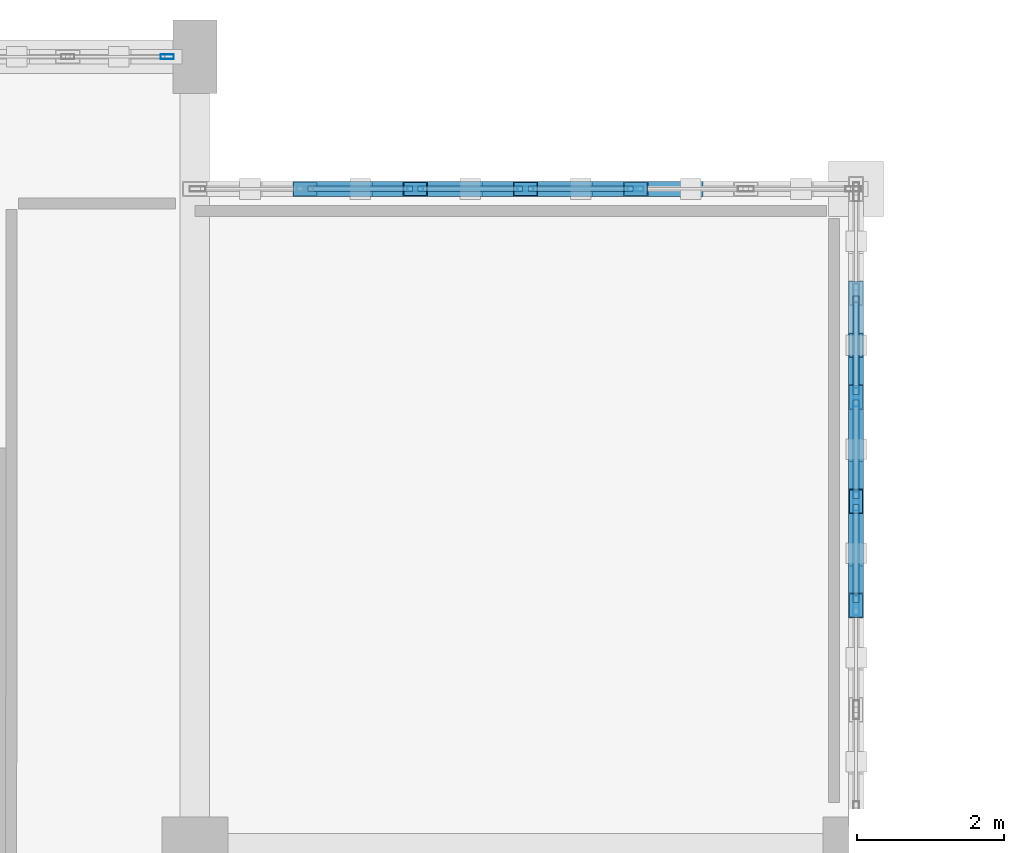
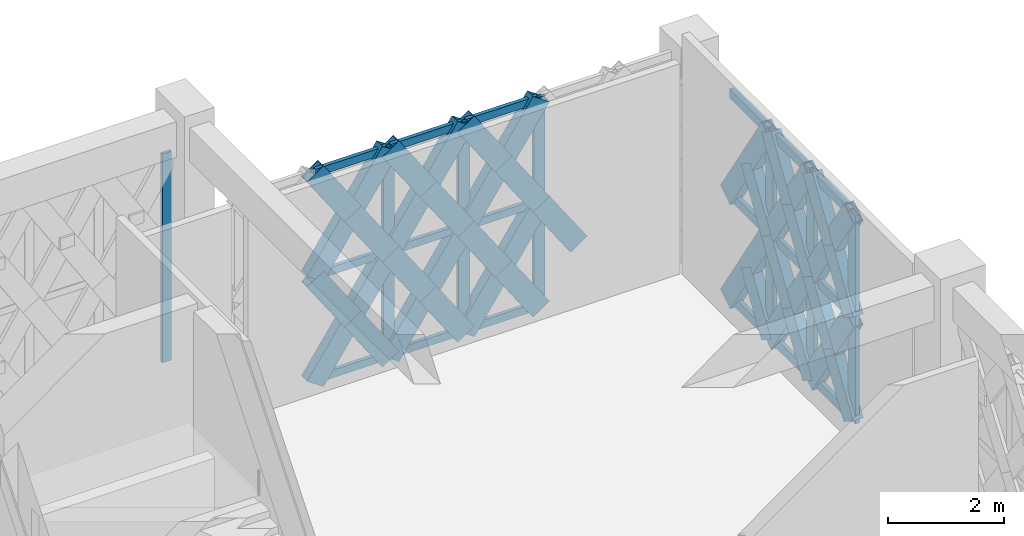
# One storey, part 95 of 166: 60 members, 3 elements without a shape of their own.
"""IFC4 building model written with IfcOpenShell, lengths in metres."""

from ifc_helpers import new_model, si_unit, direction, frame, origin, origin_2d, place, context, subcontext, project, spatial, hollow_rectangle, extrude, material, material_profile, profile_set, type_object, element, aggregate, save


model = new_model("IFC4")

# Units and contexts
model_context = context("Model", 3, precision=1e-05, world=origin(), true_north=direction((0.0, 1.0)))
body_context = subcontext(model_context, "Body", "Model", "MODEL_VIEW")
ifc_project = project(units=[si_unit("LENGTHUNIT", "METRE"), si_unit("AREAUNIT", "SQUARE_METRE"), si_unit("VOLUMEUNIT", "CUBIC_METRE"), si_unit("PLANEANGLEUNIT", "RADIAN"), si_unit("MASSUNIT", "GRAM", prefix="KILO")], contexts=[model_context])

# Site, building, storey
site_placement = place(None, origin())
site = spatial("IfcSite", under=ifc_project, at=site_placement, CompositionType="ELEMENT")
building_placement = place(site_placement, origin())
building = spatial("IfcBuilding", under=site, at=building_placement, Name="Haizhuo Lancet Aquarium", CompositionType="ELEMENT")
storey_placement = place(building_placement, frame((0.0, 0.0, 5.39990234375)))
storey = spatial("IfcBuildingStorey", under=building, at=storey_placement, Name="L01", CompositionType="ELEMENT", Elevation=5.39990234375)

# Curtain wall, member
ifc_material_1 = material(Name="Aluminium 6063-T6", Category="aluminium")
curtain_wall_type_1 = type_object("IfcCurtainWallType", Name="CWD-8310x4390", PredefinedType="NOTDEFINED", material=ifc_material_1)
curtain_wall_1_placement = place(storey_placement, origin())
curtain_wall_1 = element("IfcCurtainWall", 1, at=curtain_wall_1_placement, inside=storey, type_object=curtain_wall_type_1, Name="L01 curtain wall CW-V5-L01-133", PredefinedType="NOTDEFINED")
ifc_material_profile_1 = material_profile(ifc_material_1, hollow_rectangle(XDim=0.06494140625, YDim=0.179931640625, WallThickness=0.00390625, at=origin_2d()), Name="ALU-M 65x180x4")
ifc_profile_set_1 = profile_set([ifc_material_profile_1], Name="Aluminium 6063-T6")
member_type_1 = type_object("IfcMemberType", Name="CW-MUL-1", PredefinedType="MULLION", material=ifc_profile_set_1)
member_1_placement = place(storey_placement, frame((17.623046875, 55.800048828125, 0.0), z_axis=(0.0, 0.0, 1.0), x_axis=(0.0, 1.0, 0.0)))
member_1 = element("IfcMember", 2, at=member_1_placement, type_object=member_type_1, Name="CWD-83x43 mullion 7", PredefinedType="MULLION", context=body_context, shape_type="SweptSolid", body=[
    extrude(hollow_rectangle(XDim=0.06494140625, YDim=0.179931640625, WallThickness=0.00390625, at=origin_2d()), origin(), (0.0, 0.0, 1.0), 4.39013671875),
])
aggregate(curtain_wall_1, [member_1])

# Curtain wall, members
curtain_wall_type_2 = type_object("IfcCurtainWallType", Name="CWD-9000x4420", PredefinedType="NOTDEFINED", material=ifc_material_1)
curtain_wall_2_placement = place(storey_placement, origin())
curtain_wall_2 = element("IfcCurtainWall", 3, at=curtain_wall_2_placement, inside=storey, type_object=curtain_wall_type_2, Name="L01 curtain wall CW-V5-L01-134", PredefinedType="NOTDEFINED")
ifc_material_profile_2 = material_profile(ifc_material_1, hollow_rectangle(XDim=0.074951171875, YDim=0.219970703125, WallThickness=0.0048828125, at=origin_2d()), Name="ALU-M 75x220x5")
ifc_profile_set_2 = profile_set([ifc_material_profile_2], Name="Aluminium 6063-T6")
member_type_2 = type_object("IfcMemberType", Name="CW-MUL-2", PredefinedType="MULLION", material=ifc_profile_set_2)
member_2_placement = place(storey_placement, frame((21.0, 54.0, 0.0), z_axis=(0.0, 0.0, 1.0), x_axis=(0.0, 1.0, 0.0)))
member_2 = element("IfcMember", 4, at=member_2_placement, type_object=member_type_2, Name="CWD-90x44 mullion 3", PredefinedType="MULLION", context=body_context, shape_type="SweptSolid", body=[
    extrude(hollow_rectangle(XDim=0.074951171875, YDim=0.219970703125, WallThickness=0.0048828125, at=origin_2d()), origin(), (0.0, 0.0, 1.0), 4.425048828125),
])
member_3_placement = place(storey_placement, frame((22.5, 54.0, 0.0), z_axis=(0.0, 0.0, 1.0), x_axis=(0.0, 1.0, 0.0)))
member_3 = element("IfcMember", 5, at=member_3_placement, type_object=member_type_2, Name="CWD-90x44 mullion 4", PredefinedType="MULLION", context=body_context, shape_type="SweptSolid", body=[
    extrude(hollow_rectangle(XDim=0.074951171875, YDim=0.219970703125, WallThickness=0.0048828125, at=origin_2d()), origin(), (0.0, 0.0, 1.0), 4.425048828125),
])
member_4_placement = place(storey_placement, frame((24.0, 54.0, 0.0), z_axis=(0.0, 0.0, 1.0), x_axis=(0.0, 1.0, 0.0)))
member_4 = element("IfcMember", 6, at=member_4_placement, type_object=member_type_2, Name="CWD-90x44 mullion 5", PredefinedType="MULLION", context=body_context, shape_type="SweptSolid", body=[
    extrude(hollow_rectangle(XDim=0.074951171875, YDim=0.219970703125, WallThickness=0.0048828125, at=origin_2d()), origin(), (0.0, 0.0, 1.0), 4.425048828125),
])

curtain_wall_type_3 = type_object("IfcCurtainWallType", Name="CWD-8510x4380", PredefinedType="NOTDEFINED", material=ifc_material_1)
curtain_wall_3_placement = place(storey_placement, origin())
curtain_wall_3 = element("IfcCurtainWall", 7, at=curtain_wall_3_placement, inside=storey, type_object=curtain_wall_type_3, Name="L01 curtain wall CW-V5-L01-135", PredefinedType="NOTDEFINED")
ifc_material_profile_3 = material_profile(ifc_material_1, hollow_rectangle(XDim=0.080078125, YDim=0.260009765625, WallThickness=0.0048828125, at=origin_2d()), Name="ALU-M 80x260x5")
ifc_profile_set_3 = profile_set([ifc_material_profile_3], Name="Aluminium 6063-T6")
member_type_3 = type_object("IfcMemberType", Name="CW-MUL-3", PredefinedType="MULLION", material=ifc_profile_set_3)
member_5_placement = place(storey_placement, frame((27.0, 51.1650390625, 0.0), z_axis=(0.0, 0.0, 1.0), x_axis=(1.0, 0.0, 0.0)))
member_5 = element("IfcMember", 8, at=member_5_placement, type_object=member_type_3, Name="CWD-85x43 mullion 3", PredefinedType="MULLION", context=body_context, shape_type="SweptSolid", body=[
    extrude(hollow_rectangle(XDim=0.080078125, YDim=0.260009765625, WallThickness=0.0048828125, at=origin_2d()), origin(), (0.0, 0.0, 1.0), 4.375),
])
member_6_placement = place(storey_placement, frame((27.0, 49.748046875, 0.0), z_axis=(0.0, 0.0, 1.0), x_axis=(1.0, 0.0, 0.0)))
member_6 = element("IfcMember", 9, at=member_6_placement, type_object=member_type_3, Name="CWD-85x43 mullion 4", PredefinedType="MULLION", context=body_context, shape_type="SweptSolid", body=[
    extrude(hollow_rectangle(XDim=0.080078125, YDim=0.260009765625, WallThickness=0.0048828125, at=origin_2d()), origin(), (0.0, 0.0, 1.0), 4.375),
])
member_7_placement = place(storey_placement, frame((27.0, 48.330078125, 0.0), z_axis=(0.0, 0.0, 1.0), x_axis=(1.0, 0.0, 0.0)))
member_7 = element("IfcMember", 10, at=member_7_placement, type_object=member_type_3, Name="CWD-85x43 mullion 5", PredefinedType="MULLION", context=body_context, shape_type="SweptSolid", body=[
    extrude(hollow_rectangle(XDim=0.080078125, YDim=0.260009765625, WallThickness=0.0048828125, at=origin_2d()), origin(), (0.0, 0.0, 1.0), 4.375),
])

# Member
ifc_material_profile_4 = material_profile(ifc_material_1, hollow_rectangle(XDim=0.074951171875, YDim=0.159912109375, WallThickness=0.00390625, at=origin_2d()), Name="ALU-T 75x160x4")
ifc_profile_set_4 = profile_set([ifc_material_profile_4], Name="Aluminium 6063-T6")
member_type_4 = type_object("IfcMemberType", Name="CW-TRN-2", PredefinedType="NOTDEFINED", material=ifc_profile_set_4)
member_8_placement = place(storey_placement, frame((19.5380859375, 54.0, 0.0380859375), z_axis=(1.0, 0.0, 0.0), x_axis=(0.0, 1.0, 0.0)))
member_8 = element("IfcMember", 11, at=member_8_placement, type_object=member_type_4, Name="CWD-90x44 transom 2.1", ObjectType="TRANSOM", PredefinedType="USERDEFINED", context=body_context, shape_type="SweptSolid", body=[
    extrude(hollow_rectangle(XDim=0.074951171875, YDim=0.159912109375, WallThickness=0.00390625, at=origin_2d()), origin(), (0.0, 0.0, 1.0), 1.423828125),
])

member_9_placement = place(storey_placement, frame((19.5380859375, 54.0, 2.212158203125), z_axis=(1.0, 0.0, 0.0), x_axis=(0.0, 1.0, 0.0)))
member_9 = element("IfcMember", 12, at=member_9_placement, type_object=member_type_4, Name="CWD-90x44 transom 2.2", ObjectType="TRANSOM", PredefinedType="USERDEFINED", context=body_context, shape_type="SweptSolid", body=[
    extrude(hollow_rectangle(XDim=0.074951171875, YDim=0.159912109375, WallThickness=0.00390625, at=origin_2d()), origin(), (0.0, 0.0, 1.0), 1.423828125),
])

member_10_placement = place(storey_placement, frame((19.5380859375, 54.0, 4.38720703125), z_axis=(1.0, 0.0, 0.0), x_axis=(0.0, 1.0, 0.0)))
member_10 = element("IfcMember", 13, at=member_10_placement, type_object=member_type_4, Name="CWD-90x44 transom 2.3", ObjectType="TRANSOM", PredefinedType="USERDEFINED", context=body_context, shape_type="SweptSolid", body=[
    extrude(hollow_rectangle(XDim=0.074951171875, YDim=0.159912109375, WallThickness=0.00390625, at=origin_2d()), origin(), (0.0, 0.0, 1.0), 1.423828125),
])

member_11_placement = place(storey_placement, frame((21.0380859375, 54.0, 0.0380859375), z_axis=(1.0, 0.0, 0.0), x_axis=(0.0, 1.0, 0.0)))
member_11 = element("IfcMember", 14, at=member_11_placement, type_object=member_type_4, Name="CWD-90x44 transom 3.1", ObjectType="TRANSOM", PredefinedType="USERDEFINED", context=body_context, shape_type="SweptSolid", body=[
    extrude(hollow_rectangle(XDim=0.074951171875, YDim=0.159912109375, WallThickness=0.00390625, at=origin_2d()), origin(), (0.0, 0.0, 1.0), 1.423828125),
])

member_12_placement = place(storey_placement, frame((21.0380859375, 54.0, 2.212158203125), z_axis=(1.0, 0.0, 0.0), x_axis=(0.0, 1.0, 0.0)))
member_12 = element("IfcMember", 15, at=member_12_placement, type_object=member_type_4, Name="CWD-90x44 transom 3.2", ObjectType="TRANSOM", PredefinedType="USERDEFINED", context=body_context, shape_type="SweptSolid", body=[
    extrude(hollow_rectangle(XDim=0.074951171875, YDim=0.159912109375, WallThickness=0.00390625, at=origin_2d()), origin(), (0.0, 0.0, 1.0), 1.423828125),
])

member_13_placement = place(storey_placement, frame((21.0380859375, 54.0, 4.38720703125), z_axis=(1.0, 0.0, 0.0), x_axis=(0.0, 1.0, 0.0)))
member_13 = element("IfcMember", 16, at=member_13_placement, type_object=member_type_4, Name="CWD-90x44 transom 3.3", ObjectType="TRANSOM", PredefinedType="USERDEFINED", context=body_context, shape_type="SweptSolid", body=[
    extrude(hollow_rectangle(XDim=0.074951171875, YDim=0.159912109375, WallThickness=0.00390625, at=origin_2d()), origin(), (0.0, 0.0, 1.0), 1.423828125),
])

member_14_placement = place(storey_placement, frame((22.5380859375, 54.0, 0.0380859375), z_axis=(1.0, 0.0, 0.0), x_axis=(0.0, 1.0, 0.0)))
member_14 = element("IfcMember", 17, at=member_14_placement, type_object=member_type_4, Name="CWD-90x44 transom 4.1", ObjectType="TRANSOM", PredefinedType="USERDEFINED", context=body_context, shape_type="SweptSolid", body=[
    extrude(hollow_rectangle(XDim=0.074951171875, YDim=0.159912109375, WallThickness=0.00390625, at=origin_2d()), origin(), (0.0, 0.0, 1.0), 1.423828125),
])

member_15_placement = place(storey_placement, frame((22.5380859375, 54.0, 2.212158203125), z_axis=(1.0, 0.0, 0.0), x_axis=(0.0, 1.0, 0.0)))
member_15 = element("IfcMember", 18, at=member_15_placement, type_object=member_type_4, Name="CWD-90x44 transom 4.2", ObjectType="TRANSOM", PredefinedType="USERDEFINED", context=body_context, shape_type="SweptSolid", body=[
    extrude(hollow_rectangle(XDim=0.074951171875, YDim=0.159912109375, WallThickness=0.00390625, at=origin_2d()), origin(), (0.0, 0.0, 1.0), 1.423828125),
])

member_16_placement = place(storey_placement, frame((22.5380859375, 54.0, 4.38720703125), z_axis=(1.0, 0.0, 0.0), x_axis=(0.0, 1.0, 0.0)))
member_16 = element("IfcMember", 19, at=member_16_placement, type_object=member_type_4, Name="CWD-90x44 transom 4.3", ObjectType="TRANSOM", PredefinedType="USERDEFINED", context=body_context, shape_type="SweptSolid", body=[
    extrude(hollow_rectangle(XDim=0.074951171875, YDim=0.159912109375, WallThickness=0.00390625, at=origin_2d()), origin(), (0.0, 0.0, 1.0), 1.423828125),
])

aggregate(curtain_wall_2, [member_2, member_3, member_4, member_8, member_9, member_10, member_11, member_12, member_13, member_14, member_15, member_16])

ifc_material_profile_5 = material_profile(ifc_material_1, hollow_rectangle(XDim=0.080078125, YDim=0.18994140625, WallThickness=0.0048828125, at=origin_2d()), Name="ALU-T 80x190x5")
ifc_profile_set_5 = profile_set([ifc_material_profile_5], Name="Aluminium 6063-T6")
member_type_5 = type_object("IfcMemberType", Name="CW-TRN-3", PredefinedType="NOTDEFINED", material=ifc_profile_set_5)
member_17_placement = place(storey_placement, frame((27.0, 52.5419921875, 0.0400390625), z_axis=(0.0, -1.0, 0.0), x_axis=(1.0, 0.0, 0.0)))
member_17 = element("IfcMember", 20, at=member_17_placement, type_object=member_type_5, Name="CWD-85x43 transom 2.1", ObjectType="TRANSOM", PredefinedType="USERDEFINED", context=body_context, shape_type="SweptSolid", body=[
    extrude(hollow_rectangle(XDim=0.080078125, YDim=0.18994140625, WallThickness=0.0048828125, at=origin_2d()), origin(), (0.0, 0.0, 1.0), 1.3369140625),
])

member_18_placement = place(storey_placement, frame((27.0, 52.5419921875, 2.18798828125), z_axis=(0.0, -1.0, 0.0), x_axis=(1.0, 0.0, 0.0)))
member_18 = element("IfcMember", 21, at=member_18_placement, type_object=member_type_5, Name="CWD-85x43 transom 2.2", ObjectType="TRANSOM", PredefinedType="USERDEFINED", context=body_context, shape_type="SweptSolid", body=[
    extrude(hollow_rectangle(XDim=0.080078125, YDim=0.18994140625, WallThickness=0.0048828125, at=origin_2d()), origin(), (0.0, 0.0, 1.0), 1.3369140625),
])

member_19_placement = place(storey_placement, frame((27.0, 52.5419921875, 4.335205078125), z_axis=(0.0, -1.0, 0.0), x_axis=(1.0, 0.0, 0.0)))
member_19 = element("IfcMember", 22, at=member_19_placement, type_object=member_type_5, Name="CWD-85x43 transom 2.3", ObjectType="TRANSOM", PredefinedType="USERDEFINED", context=body_context, shape_type="SweptSolid", body=[
    extrude(hollow_rectangle(XDim=0.080078125, YDim=0.18994140625, WallThickness=0.0048828125, at=origin_2d()), origin(), (0.0, 0.0, 1.0), 1.3369140625),
])

member_20_placement = place(storey_placement, frame((27.0, 51.125, 0.0400390625), z_axis=(0.0, -1.0, 0.0), x_axis=(1.0, 0.0, 0.0)))
member_20 = element("IfcMember", 23, at=member_20_placement, type_object=member_type_5, Name="CWD-85x43 transom 3.1", ObjectType="TRANSOM", PredefinedType="USERDEFINED", context=body_context, shape_type="SweptSolid", body=[
    extrude(hollow_rectangle(XDim=0.080078125, YDim=0.18994140625, WallThickness=0.0048828125, at=origin_2d()), origin(), (0.0, 0.0, 1.0), 1.3369140625),
])

member_21_placement = place(storey_placement, frame((27.0, 51.125, 2.18798828125), z_axis=(0.0, -1.0, 0.0), x_axis=(1.0, 0.0, 0.0)))
member_21 = element("IfcMember", 24, at=member_21_placement, type_object=member_type_5, Name="CWD-85x43 transom 3.2", ObjectType="TRANSOM", PredefinedType="USERDEFINED", context=body_context, shape_type="SweptSolid", body=[
    extrude(hollow_rectangle(XDim=0.080078125, YDim=0.18994140625, WallThickness=0.0048828125, at=origin_2d()), origin(), (0.0, 0.0, 1.0), 1.3369140625),
])

member_22_placement = place(storey_placement, frame((27.0, 51.125, 4.335205078125), z_axis=(0.0, -1.0, 0.0), x_axis=(1.0, 0.0, 0.0)))
member_22 = element("IfcMember", 25, at=member_22_placement, type_object=member_type_5, Name="CWD-85x43 transom 3.3", ObjectType="TRANSOM", PredefinedType="USERDEFINED", context=body_context, shape_type="SweptSolid", body=[
    extrude(hollow_rectangle(XDim=0.080078125, YDim=0.18994140625, WallThickness=0.0048828125, at=origin_2d()), origin(), (0.0, 0.0, 1.0), 1.3369140625),
])

member_23_placement = place(storey_placement, frame((27.0, 49.70703125, 0.0400390625), z_axis=(0.0, -1.0, 0.0), x_axis=(1.0, 0.0, 0.0)))
member_23 = element("IfcMember", 26, at=member_23_placement, type_object=member_type_5, Name="CWD-85x43 transom 4.1", ObjectType="TRANSOM", PredefinedType="USERDEFINED", context=body_context, shape_type="SweptSolid", body=[
    extrude(hollow_rectangle(XDim=0.080078125, YDim=0.18994140625, WallThickness=0.0048828125, at=origin_2d()), origin(), (0.0, 0.0, 1.0), 1.3369140625),
])

member_24_placement = place(storey_placement, frame((27.0, 49.70703125, 2.18798828125), z_axis=(0.0, -1.0, 0.0), x_axis=(1.0, 0.0, 0.0)))
member_24 = element("IfcMember", 27, at=member_24_placement, type_object=member_type_5, Name="CWD-85x43 transom 4.2", ObjectType="TRANSOM", PredefinedType="USERDEFINED", context=body_context, shape_type="SweptSolid", body=[
    extrude(hollow_rectangle(XDim=0.080078125, YDim=0.18994140625, WallThickness=0.0048828125, at=origin_2d()), origin(), (0.0, 0.0, 1.0), 1.3369140625),
])

member_25_placement = place(storey_placement, frame((27.0, 49.70703125, 4.335205078125), z_axis=(0.0, -1.0, 0.0), x_axis=(1.0, 0.0, 0.0)))
member_25 = element("IfcMember", 28, at=member_25_placement, type_object=member_type_5, Name="CWD-85x43 transom 4.3", ObjectType="TRANSOM", PredefinedType="USERDEFINED", context=body_context, shape_type="SweptSolid", body=[
    extrude(hollow_rectangle(XDim=0.080078125, YDim=0.18994140625, WallThickness=0.0048828125, at=origin_2d()), origin(), (0.0, 0.0, 1.0), 1.3369140625),
])

aggregate(curtain_wall_3, [member_5, member_6, member_7, member_17, member_18, member_19, member_20, member_21, member_22, member_23, member_24, member_25])

# Members
ifc_material_2 = material(Name="Steel S355", Category="steel")
ifc_material_profile_6 = material_profile(ifc_material_2, hollow_rectangle(XDim=0.199951171875, YDim=0.39990234375, WallThickness=0.011962890625, at=origin_2d()), Name="RHS 200x400x12")
ifc_profile_set_6 = profile_set([ifc_material_profile_6], Name="Steel S355")
member_type_6 = type_object("IfcMemberType", Name="MEM-LB-RHS200x400", PredefinedType="BRACE", material=ifc_profile_set_6)
member_26_placement = place(storey_placement, frame((19.5, 54.0, 0.0), z_axis=(0.56121770031, 0.0, 0.82766822632), x_axis=(0.0, 1.0, 0.0)))
element("IfcMember", 29, at=member_26_placement, inside=storey, type_object=member_type_6, Name="Gothic lancet continuous diagonal brace CW-V5-L01-134 3A", PredefinedType="BRACE", context=body_context, shape_type="SweptSolid", body=[
    extrude(hollow_rectangle(XDim=0.199951171875, YDim=0.39990234375, WallThickness=0.011962890625, at=origin_2d()), origin(), (0.0, 0.0, 1.0), 2.6728515625),
])
member_27_placement = place(storey_placement, frame((21.0, 54.0, 0.0), z_axis=(-0.561175273292, 0.0, 0.827696993257), x_axis=(0.0, -1.0, 0.0)))
element("IfcMember", 30, at=member_27_placement, inside=storey, type_object=member_type_6, Name="Gothic lancet split diagonal brace CW-V5-L01-134 3B1", PredefinedType="BRACE", context=body_context, shape_type="SweptSolid", body=[
    extrude(hollow_rectangle(XDim=0.199951171875, YDim=0.39990234375, WallThickness=0.011962890625, at=origin_2d()), origin(), (0.0, 0.0, 1.0), 1.33642578125),
])
member_28_placement = place(storey_placement, frame((20.25, 54.0, 1.106201171875), z_axis=(-0.561260132269, 0.0, 0.827639452857), x_axis=(0.0, -1.0, 0.0)))
element("IfcMember", 31, at=member_28_placement, inside=storey, type_object=member_type_6, Name="Gothic lancet split diagonal brace CW-V5-L01-134 3B2", PredefinedType="BRACE", context=body_context, shape_type="SweptSolid", body=[
    extrude(hollow_rectangle(XDim=0.199951171875, YDim=0.39990234375, WallThickness=0.011962890625, at=origin_2d()), origin(), (0.0, 0.0, 1.0), 1.336181640625),
])
member_29_placement = place(storey_placement, frame((19.5, 54.0, 2.212158203125), z_axis=(0.561090434075, 0.0, 0.827754507562), x_axis=(0.0, 1.0, 0.0)))
element("IfcMember", 32, at=member_29_placement, inside=storey, type_object=member_type_6, Name="Gothic lancet continuous diagonal brace CW-V5-L01-134 4A", PredefinedType="BRACE", context=body_context, shape_type="SweptSolid", body=[
    extrude(hollow_rectangle(XDim=0.199951171875, YDim=0.39990234375, WallThickness=0.011962890625, at=origin_2d()), origin(), (0.0, 0.0, 1.0), 2.67333984375),
])
member_30_placement = place(storey_placement, frame((21.0, 54.0, 2.212158203125), z_axis=(-0.561260132269, 0.0, 0.827639452857), x_axis=(0.0, -1.0, 0.0)))
element("IfcMember", 33, at=member_30_placement, inside=storey, type_object=member_type_6, Name="Gothic lancet split diagonal brace CW-V5-L01-134 4B1", PredefinedType="BRACE", context=body_context, shape_type="SweptSolid", body=[
    extrude(hollow_rectangle(XDim=0.199951171875, YDim=0.39990234375, WallThickness=0.011962890625, at=origin_2d()), origin(), (0.0, 0.0, 1.0), 1.336181640625),
])
member_31_placement = place(storey_placement, frame((20.25, 54.0, 3.318115234375), z_axis=(-0.560920814911, 0.0, 0.827869457946), x_axis=(0.0, -1.0, 0.0)))
element("IfcMember", 34, at=member_31_placement, inside=storey, type_object=member_type_6, Name="Gothic lancet split diagonal brace CW-V5-L01-134 4B2", PredefinedType="BRACE", context=body_context, shape_type="SweptSolid", body=[
    extrude(hollow_rectangle(XDim=0.199951171875, YDim=0.39990234375, WallThickness=0.011962890625, at=origin_2d()), origin(), (0.0, 0.0, 1.0), 1.337158203125),
])
member_32_placement = place(storey_placement, frame((21.0, 54.0, 0.0), z_axis=(0.56121770031, 0.0, 0.82766822632), x_axis=(0.0, 1.0, 0.0)))
element("IfcMember", 35, at=member_32_placement, inside=storey, type_object=member_type_6, Name="Gothic lancet continuous diagonal brace CW-V5-L01-134 5A", PredefinedType="BRACE", context=body_context, shape_type="SweptSolid", body=[
    extrude(hollow_rectangle(XDim=0.199951171875, YDim=0.39990234375, WallThickness=0.011962890625, at=origin_2d()), origin(), (0.0, 0.0, 1.0), 2.6728515625),
])
member_33_placement = place(storey_placement, frame((22.5, 54.0, 0.0), z_axis=(-0.561175273292, 0.0, 0.827696993257), x_axis=(0.0, -1.0, 0.0)))
element("IfcMember", 36, at=member_33_placement, inside=storey, type_object=member_type_6, Name="Gothic lancet split diagonal brace CW-V5-L01-134 5B1", PredefinedType="BRACE", context=body_context, shape_type="SweptSolid", body=[
    extrude(hollow_rectangle(XDim=0.199951171875, YDim=0.39990234375, WallThickness=0.011962890625, at=origin_2d()), origin(), (0.0, 0.0, 1.0), 1.33642578125),
])
member_34_placement = place(storey_placement, frame((21.75, 54.0, 1.106201171875), z_axis=(-0.561260132269, 0.0, 0.827639452857), x_axis=(0.0, -1.0, 0.0)))
element("IfcMember", 37, at=member_34_placement, inside=storey, type_object=member_type_6, Name="Gothic lancet split diagonal brace CW-V5-L01-134 5B2", PredefinedType="BRACE", context=body_context, shape_type="SweptSolid", body=[
    extrude(hollow_rectangle(XDim=0.199951171875, YDim=0.39990234375, WallThickness=0.011962890625, at=origin_2d()), origin(), (0.0, 0.0, 1.0), 1.336181640625),
])
member_35_placement = place(storey_placement, frame((21.0, 54.0, 2.212158203125), z_axis=(0.561090434075, 0.0, 0.827754507562), x_axis=(0.0, 1.0, 0.0)))
element("IfcMember", 38, at=member_35_placement, inside=storey, type_object=member_type_6, Name="Gothic lancet continuous diagonal brace CW-V5-L01-134 6A", PredefinedType="BRACE", context=body_context, shape_type="SweptSolid", body=[
    extrude(hollow_rectangle(XDim=0.199951171875, YDim=0.39990234375, WallThickness=0.011962890625, at=origin_2d()), origin(), (0.0, 0.0, 1.0), 2.67333984375),
])
member_36_placement = place(storey_placement, frame((22.5, 54.0, 2.212158203125), z_axis=(-0.561260132269, 0.0, 0.827639452857), x_axis=(0.0, -1.0, 0.0)))
element("IfcMember", 39, at=member_36_placement, inside=storey, type_object=member_type_6, Name="Gothic lancet split diagonal brace CW-V5-L01-134 6B1", PredefinedType="BRACE", context=body_context, shape_type="SweptSolid", body=[
    extrude(hollow_rectangle(XDim=0.199951171875, YDim=0.39990234375, WallThickness=0.011962890625, at=origin_2d()), origin(), (0.0, 0.0, 1.0), 1.336181640625),
])
member_37_placement = place(storey_placement, frame((21.75, 54.0, 3.318115234375), z_axis=(-0.560920814911, 0.0, 0.827869457946), x_axis=(0.0, -1.0, 0.0)))
element("IfcMember", 40, at=member_37_placement, inside=storey, type_object=member_type_6, Name="Gothic lancet split diagonal brace CW-V5-L01-134 6B2", PredefinedType="BRACE", context=body_context, shape_type="SweptSolid", body=[
    extrude(hollow_rectangle(XDim=0.199951171875, YDim=0.39990234375, WallThickness=0.011962890625, at=origin_2d()), origin(), (0.0, 0.0, 1.0), 1.337158203125),
])
member_38_placement = place(storey_placement, frame((22.5, 54.0, 0.0), z_axis=(0.56121770031, 0.0, 0.82766822632), x_axis=(0.0, 1.0, 0.0)))
element("IfcMember", 41, at=member_38_placement, inside=storey, type_object=member_type_6, Name="Gothic lancet continuous diagonal brace CW-V5-L01-134 7A", PredefinedType="BRACE", context=body_context, shape_type="SweptSolid", body=[
    extrude(hollow_rectangle(XDim=0.199951171875, YDim=0.39990234375, WallThickness=0.011962890625, at=origin_2d()), origin(), (0.0, 0.0, 1.0), 2.6728515625),
])
member_39_placement = place(storey_placement, frame((24.0, 54.0, 0.0), z_axis=(-0.561175273292, 0.0, 0.827696993257), x_axis=(0.0, -1.0, 0.0)))
element("IfcMember", 42, at=member_39_placement, inside=storey, type_object=member_type_6, Name="Gothic lancet split diagonal brace CW-V5-L01-134 7B1", PredefinedType="BRACE", context=body_context, shape_type="SweptSolid", body=[
    extrude(hollow_rectangle(XDim=0.199951171875, YDim=0.39990234375, WallThickness=0.011962890625, at=origin_2d()), origin(), (0.0, 0.0, 1.0), 1.33642578125),
])
member_40_placement = place(storey_placement, frame((23.25, 54.0, 1.106201171875), z_axis=(-0.561260132269, 0.0, 0.827639452857), x_axis=(0.0, -1.0, 0.0)))
element("IfcMember", 43, at=member_40_placement, inside=storey, type_object=member_type_6, Name="Gothic lancet split diagonal brace CW-V5-L01-134 7B2", PredefinedType="BRACE", context=body_context, shape_type="SweptSolid", body=[
    extrude(hollow_rectangle(XDim=0.199951171875, YDim=0.39990234375, WallThickness=0.011962890625, at=origin_2d()), origin(), (0.0, 0.0, 1.0), 1.336181640625),
])
member_41_placement = place(storey_placement, frame((22.5, 54.0, 2.212158203125), z_axis=(0.561090434075, 0.0, 0.827754507562), x_axis=(0.0, 1.0, 0.0)))
element("IfcMember", 44, at=member_41_placement, inside=storey, type_object=member_type_6, Name="Gothic lancet continuous diagonal brace CW-V5-L01-134 8A", PredefinedType="BRACE", context=body_context, shape_type="SweptSolid", body=[
    extrude(hollow_rectangle(XDim=0.199951171875, YDim=0.39990234375, WallThickness=0.011962890625, at=origin_2d()), origin(), (0.0, 0.0, 1.0), 2.67333984375),
])
member_42_placement = place(storey_placement, frame((24.0, 54.0, 2.212158203125), z_axis=(-0.561260132269, 0.0, 0.827639452857), x_axis=(0.0, -1.0, 0.0)))
element("IfcMember", 45, at=member_42_placement, inside=storey, type_object=member_type_6, Name="Gothic lancet split diagonal brace CW-V5-L01-134 8B1", PredefinedType="BRACE", context=body_context, shape_type="SweptSolid", body=[
    extrude(hollow_rectangle(XDim=0.199951171875, YDim=0.39990234375, WallThickness=0.011962890625, at=origin_2d()), origin(), (0.0, 0.0, 1.0), 1.336181640625),
])
member_43_placement = place(storey_placement, frame((23.25, 54.0, 3.318115234375), z_axis=(-0.560920814911, 0.0, 0.827869457946), x_axis=(0.0, -1.0, 0.0)))
element("IfcMember", 46, at=member_43_placement, inside=storey, type_object=member_type_6, Name="Gothic lancet split diagonal brace CW-V5-L01-134 8B2", PredefinedType="BRACE", context=body_context, shape_type="SweptSolid", body=[
    extrude(hollow_rectangle(XDim=0.199951171875, YDim=0.39990234375, WallThickness=0.011962890625, at=origin_2d()), origin(), (0.0, 0.0, 1.0), 1.337158203125),
])
member_44_placement = place(storey_placement, frame((24.75, 54.0, 1.106201171875), z_axis=(-0.561260132269, 0.0, 0.827639452857), x_axis=(0.0, -1.0, 0.0)))
element("IfcMember", 47, at=member_44_placement, inside=storey, type_object=member_type_6, Name="Gothic lancet split diagonal brace CW-V5-L01-134 9B2", PredefinedType="BRACE", context=body_context, shape_type="SweptSolid", body=[
    extrude(hollow_rectangle(XDim=0.199951171875, YDim=0.39990234375, WallThickness=0.011962890625, at=origin_2d()), origin(), (0.0, 0.0, 1.0), 1.336181640625),
])
member_45_placement = place(storey_placement, frame((27.0, 52.58203125, 0.0), z_axis=(0.0, -0.543585202318, 0.839353994344), x_axis=(1.0, 0.0, 0.0)))
element("IfcMember", 48, at=member_45_placement, inside=storey, type_object=member_type_6, Name="Gothic lancet continuous diagonal brace CW-V5-L01-135 3A", PredefinedType="BRACE", context=body_context, shape_type="SweptSolid", body=[
    extrude(hollow_rectangle(XDim=0.199951171875, YDim=0.39990234375, WallThickness=0.011962890625, at=origin_2d()), origin(), (0.0, 0.0, 1.0), 2.606689453125),
])
member_46_placement = place(storey_placement, frame((27.0, 51.1650390625, 0.0), z_axis=(0.0, 0.543321190607, 0.839524915555), x_axis=(-1.0, 0.0, 0.0)))
element("IfcMember", 49, at=member_46_placement, inside=storey, type_object=member_type_6, Name="Gothic lancet split diagonal brace CW-V5-L01-135 3B1", PredefinedType="BRACE", context=body_context, shape_type="SweptSolid", body=[
    extrude(hollow_rectangle(XDim=0.199951171875, YDim=0.39990234375, WallThickness=0.011962890625, at=origin_2d()), origin(), (0.0, 0.0, 1.0), 1.30322265625),
])
member_47_placement = place(storey_placement, frame((27.0, 52.58203125, 2.18798828125), z_axis=(0.0, -0.543756172717, 0.839243245211), x_axis=(1.0, 0.0, 0.0)))
element("IfcMember", 50, at=member_47_placement, inside=storey, type_object=member_type_6, Name="Gothic lancet continuous diagonal brace CW-V5-L01-135 4A", PredefinedType="BRACE", context=body_context, shape_type="SweptSolid", body=[
    extrude(hollow_rectangle(XDim=0.199951171875, YDim=0.39990234375, WallThickness=0.011962890625, at=origin_2d()), origin(), (0.0, 0.0, 1.0), 2.60595703125),
])
member_48_placement = place(storey_placement, frame((27.0, 51.1650390625, 2.18798828125), z_axis=(0.0, 0.543663189653, 0.839303482786), x_axis=(-1.0, 0.0, 0.0)))
element("IfcMember", 51, at=member_48_placement, inside=storey, type_object=member_type_6, Name="Gothic lancet split diagonal brace CW-V5-L01-135 4B1", PredefinedType="BRACE", context=body_context, shape_type="SweptSolid", body=[
    extrude(hollow_rectangle(XDim=0.199951171875, YDim=0.39990234375, WallThickness=0.011962890625, at=origin_2d()), origin(), (0.0, 0.0, 1.0), 1.30224609375),
])
member_49_placement = place(storey_placement, frame((27.0, 51.1650390625, 0.0), z_axis=(0.0, -0.543585202318, 0.839353994344), x_axis=(1.0, 0.0, 0.0)))
element("IfcMember", 52, at=member_49_placement, inside=storey, type_object=member_type_6, Name="Gothic lancet continuous diagonal brace CW-V5-L01-135 5A", PredefinedType="BRACE", context=body_context, shape_type="SweptSolid", body=[
    extrude(hollow_rectangle(XDim=0.199951171875, YDim=0.39990234375, WallThickness=0.011962890625, at=origin_2d()), origin(), (0.0, 0.0, 1.0), 2.606689453125),
])
member_50_placement = place(storey_placement, frame((27.0, 49.748046875, 0.0), z_axis=(0.0, 0.543321190607, 0.839524915555), x_axis=(-1.0, 0.0, 0.0)))
element("IfcMember", 53, at=member_50_placement, inside=storey, type_object=member_type_6, Name="Gothic lancet split diagonal brace CW-V5-L01-135 5B1", PredefinedType="BRACE", context=body_context, shape_type="SweptSolid", body=[
    extrude(hollow_rectangle(XDim=0.199951171875, YDim=0.39990234375, WallThickness=0.011962890625, at=origin_2d()), origin(), (0.0, 0.0, 1.0), 1.30322265625),
])
member_51_placement = place(storey_placement, frame((27.0, 50.4560546875, 1.093994140625), z_axis=(0.0, 0.543849052786, 0.839183059757), x_axis=(-1.0, 0.0, 0.0)))
element("IfcMember", 54, at=member_51_placement, inside=storey, type_object=member_type_6, Name="Gothic lancet split diagonal brace CW-V5-L01-135 5B2", PredefinedType="BRACE", context=body_context, shape_type="SweptSolid", body=[
    extrude(hollow_rectangle(XDim=0.199951171875, YDim=0.39990234375, WallThickness=0.011962890625, at=origin_2d()), origin(), (0.0, 0.0, 1.0), 1.3037109375),
])
member_52_placement = place(storey_placement, frame((27.0, 51.1650390625, 2.18798828125), z_axis=(0.0, -0.543756172717, 0.839243245211), x_axis=(1.0, 0.0, 0.0)))
element("IfcMember", 55, at=member_52_placement, inside=storey, type_object=member_type_6, Name="Gothic lancet continuous diagonal brace CW-V5-L01-135 6A", PredefinedType="BRACE", context=body_context, shape_type="SweptSolid", body=[
    extrude(hollow_rectangle(XDim=0.199951171875, YDim=0.39990234375, WallThickness=0.011962890625, at=origin_2d()), origin(), (0.0, 0.0, 1.0), 2.60595703125),
])
member_53_placement = place(storey_placement, frame((27.0, 49.748046875, 2.18798828125), z_axis=(0.0, 0.543663189653, 0.839303482786), x_axis=(-1.0, 0.0, 0.0)))
element("IfcMember", 56, at=member_53_placement, inside=storey, type_object=member_type_6, Name="Gothic lancet split diagonal brace CW-V5-L01-135 6B1", PredefinedType="BRACE", context=body_context, shape_type="SweptSolid", body=[
    extrude(hollow_rectangle(XDim=0.199951171875, YDim=0.39990234375, WallThickness=0.011962890625, at=origin_2d()), origin(), (0.0, 0.0, 1.0), 1.30224609375),
])
member_54_placement = place(storey_placement, frame((27.0, 50.4560546875, 3.281005859375), z_axis=(0.0, 0.543849052786, 0.839183059757), x_axis=(-1.0, 0.0, 0.0)))
element("IfcMember", 57, at=member_54_placement, inside=storey, type_object=member_type_6, Name="Gothic lancet split diagonal brace CW-V5-L01-135 6B2", PredefinedType="BRACE", context=body_context, shape_type="SweptSolid", body=[
    extrude(hollow_rectangle(XDim=0.199951171875, YDim=0.39990234375, WallThickness=0.011962890625, at=origin_2d()), origin(), (0.0, 0.0, 1.0), 1.3037109375),
])
member_55_placement = place(storey_placement, frame((27.0, 49.748046875, 0.0), z_axis=(0.0, -0.543849052786, 0.839183059757), x_axis=(1.0, 0.0, 0.0)))
element("IfcMember", 58, at=member_55_placement, inside=storey, type_object=member_type_6, Name="Gothic lancet continuous diagonal brace CW-V5-L01-135 7A", PredefinedType="BRACE", context=body_context, shape_type="SweptSolid", body=[
    extrude(hollow_rectangle(XDim=0.199951171875, YDim=0.39990234375, WallThickness=0.011962890625, at=origin_2d()), origin(), (0.0, 0.0, 1.0), 2.607177734375),
])
for number, where, z_axis, x_axis, name in (
    (59, (27.0, 48.330078125, 0.0), (0.0, 0.543849052786, 0.839183059757), (-1.0, 0.0, 0.0), "Gothic lancet split diagonal brace CW-V5-L01-135 7B1"),
    (60, (27.0, 49.0390625, 1.093994140625), (0.0, 0.543849052786, 0.839183059757), (-1.0, 0.0, 0.0), "Gothic lancet split diagonal brace CW-V5-L01-135 7B2"),
):
    element("IfcMember", number, at=place(storey_placement, frame(where, z_axis=z_axis, x_axis=x_axis)), inside=storey, type_object=member_type_6, Name=name, PredefinedType="BRACE", context=body_context, shape_type="SweptSolid", body=[
        extrude(hollow_rectangle(XDim=0.199951171875, YDim=0.39990234375, WallThickness=0.011962890625, at=origin_2d()), origin(), (0.0, 0.0, 1.0), 1.3037109375),
    ])
member_56_placement = place(storey_placement, frame((27.0, 49.748046875, 2.18798828125), z_axis=(0.0, -0.544020036477, 0.839072225682), x_axis=(1.0, 0.0, 0.0)))
element("IfcMember", 61, at=member_56_placement, inside=storey, type_object=member_type_6, Name="Gothic lancet continuous diagonal brace CW-V5-L01-135 8A", PredefinedType="BRACE", context=body_context, shape_type="SweptSolid", body=[
    extrude(hollow_rectangle(XDim=0.199951171875, YDim=0.39990234375, WallThickness=0.011962890625, at=origin_2d()), origin(), (0.0, 0.0, 1.0), 2.6064453125),
])
member_57_placement = place(storey_placement, frame((27.0, 48.330078125, 2.18798828125), z_axis=(0.0, 0.544191105099, 0.838961287028), x_axis=(-1.0, 0.0, 0.0)))
element("IfcMember", 62, at=member_57_placement, inside=storey, type_object=member_type_6, Name="Gothic lancet split diagonal brace CW-V5-L01-135 8B1", PredefinedType="BRACE", context=body_context, shape_type="SweptSolid", body=[
    extrude(hollow_rectangle(XDim=0.199951171875, YDim=0.39990234375, WallThickness=0.011962890625, at=origin_2d()), origin(), (0.0, 0.0, 1.0), 1.302734375),
])
member_58_placement = place(storey_placement, frame((27.0, 49.0390625, 3.281005859375), z_axis=(0.0, 0.543849052786, 0.839183059757), x_axis=(-1.0, 0.0, 0.0)))
element("IfcMember", 63, at=member_58_placement, inside=storey, type_object=member_type_6, Name="Gothic lancet split diagonal brace CW-V5-L01-135 8B2", PredefinedType="BRACE", context=body_context, shape_type="SweptSolid", body=[
    extrude(hollow_rectangle(XDim=0.199951171875, YDim=0.39990234375, WallThickness=0.011962890625, at=origin_2d()), origin(), (0.0, 0.0, 1.0), 1.3037109375),
])

save(model, "model.ifc")
